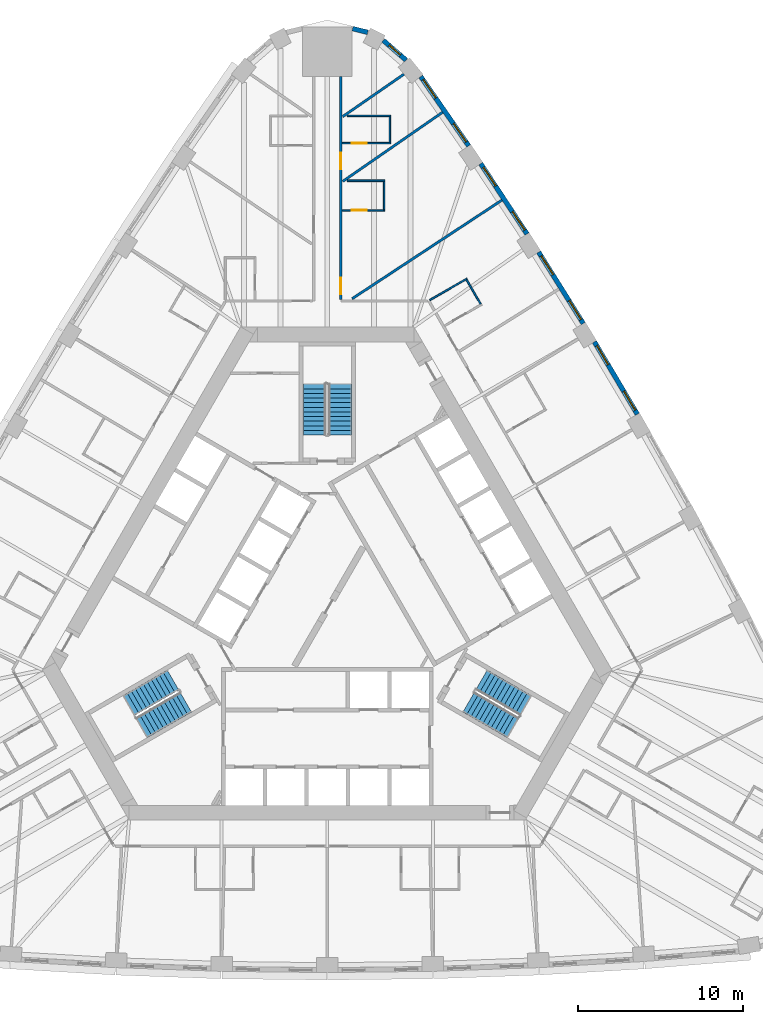
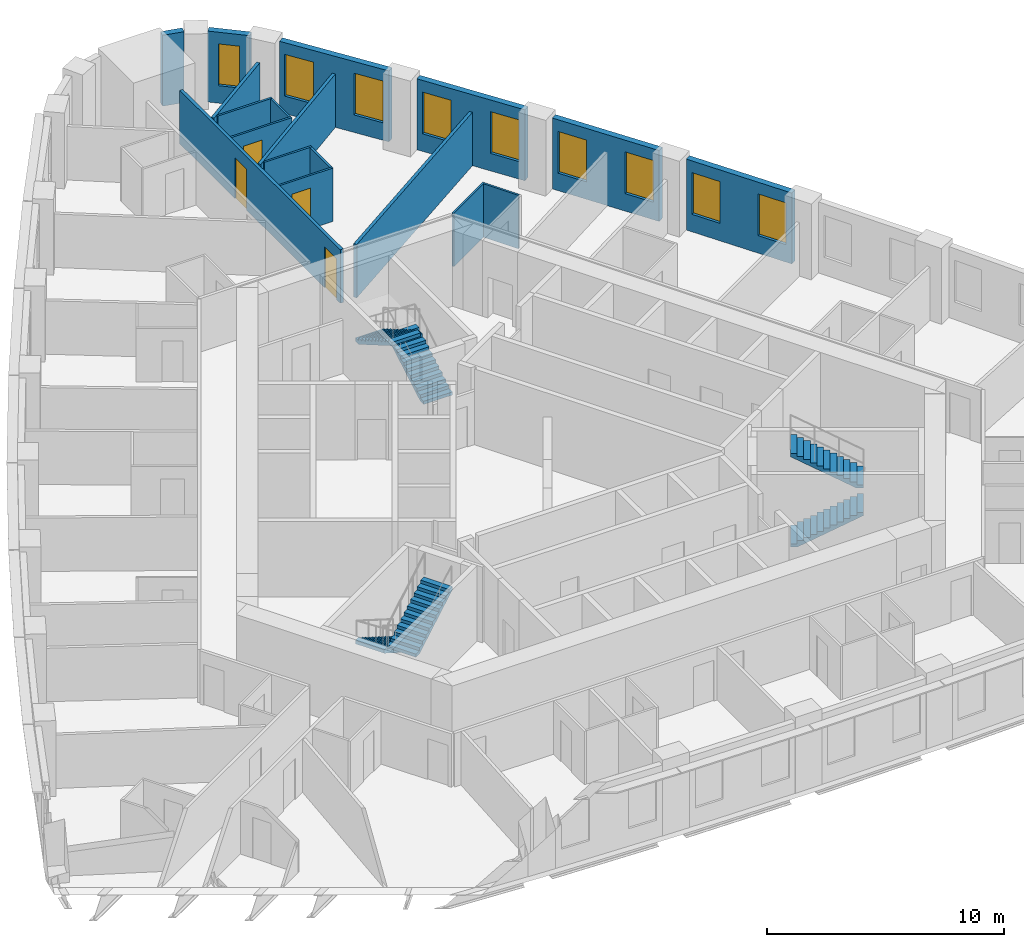
# One storey, part 11 of 12: 18 walls, 9 windows, 6 stair flights, 4 doors, 13 openings, 3 elements without a shape of their own.
"""IFC4 building model written with IfcOpenShell, lengths in metres."""

import ifcopenshell
import ifcopenshell.guid

model = None  # the IFC model being written
_history = None  # IfcOwnerHistory: only IFC2X3 demands one
_inside = {}  # id of a spatial element -> (the spatial element, [elements in it])
_under = {}  # id of a project, library or spatial element -> (it, [spatial elements below it])
_declared = {}  # id of a project -> (the project, [libraries it declares])
_typed = {}  # id of a type object -> (the type object, [elements of that type])
_made_of = {}  # id of a material, layer set ... -> (it, [elements and type objects made of it])


def new_model(schema):
    """Start an empty IFC model of exactly this schema.

    Asked for "IFC4X3", IfcOpenShell would pick the latest addendum, in which some entities
    have other attributes; the version numbers below select the first issue.
    IFC2X3 requires an IfcOwnerHistory on every rooted entity: one is made here for all.
    """
    global model, _history
    if schema == "IFC4X3":
        model = ifcopenshell.file(schema_version=(4, 3, 0, 0))
    else:
        model = ifcopenshell.file(schema=schema)
    _inside.clear()
    _under.clear()
    _declared.clear()
    _typed.clear()
    _made_of.clear()
    _history = None
    if model.schema == "IFC2X3":
        org = make("IfcOrganization", Name="unknown")
        user = make(
            "IfcPersonAndOrganization",
            ThePerson=make("IfcPerson", FamilyName="unknown"),
            TheOrganization=org,
        )
        app = make(
            "IfcApplication",
            ApplicationDeveloper=org,
            Version="unknown",
            ApplicationFullName="unknown",
            ApplicationIdentifier="unknown",
        )
        _history = make(
            "IfcOwnerHistory",
            OwningUser=user,
            OwningApplication=app,
            ChangeAction="ADDED",
            CreationDate=0,
        )
    return model


def make(cls, **values):
    """One entity of the class cls with the attributes given. An attribute that is None is left unset."""
    return model.create_entity(
        cls, **{name: value for name, value in values.items() if value is not None}
    )


def rooted(cls, **values):
    """An entity with a GlobalId (a new one), such as an element, a storey or a relation."""
    return make(cls, GlobalId=ifcopenshell.guid.new(), OwnerHistory=_history, **values)


def si_unit(unit_type, name, prefix=None):
    """IfcSIUnit, for example si_unit("LENGTHUNIT", "METRE", prefix="MILLI")."""
    return make("IfcSIUnit", UnitType=unit_type, Prefix=prefix, Name=name)


def assignment(units):
    """IfcUnitAssignment: the units of a project."""
    return None if units is None else make("IfcUnitAssignment", Units=units)


def point(xyz):
    """IfcCartesianPoint."""
    return None if xyz is None else make("IfcCartesianPoint", Coordinates=xyz)


def direction(xyz):
    """IfcDirection."""
    return None if xyz is None else make("IfcDirection", DirectionRatios=xyz)


def frame(location, z_axis=None, x_axis=None):
    """IfcAxis2Placement3D, a coordinate frame: its origin and axes. An axis left out is left unset."""
    return make(
        "IfcAxis2Placement3D",
        Location=point(location),
        Axis=direction(z_axis),
        RefDirection=direction(x_axis),
    )


def frame_2d(location, x_axis=None):
    """IfcAxis2Placement2D, a coordinate frame in the plane: its origin and x axis."""
    return make(
        "IfcAxis2Placement2D", Location=point(location), RefDirection=direction(x_axis)
    )


def origin():
    """The frame at (0, 0, 0) with its axes left unset."""
    return frame((0.0, 0.0, 0.0))


def place(relative_to, where):
    """IfcLocalPlacement: puts the frame where relative to a parent placement (None: the world)."""
    return make(
        "IfcLocalPlacement", PlacementRelTo=relative_to, RelativePlacement=where
    )


def context(
    kind, dimensions, precision=None, world=None, true_north=None, identifier=None
):
    """IfcGeometricRepresentationContext, for example the 3D "Model" context."""
    return make(
        "IfcGeometricRepresentationContext",
        ContextIdentifier=identifier,
        ContextType=kind,
        CoordinateSpaceDimension=dimensions,
        Precision=precision,
        WorldCoordinateSystem=world,
        TrueNorth=true_north,
    )


def subcontext(parent, identifier, kind, view, scale=None):
    """IfcGeometricRepresentationSubContext, for example "Body" below "Model"."""
    return make(
        "IfcGeometricRepresentationSubContext",
        ContextIdentifier=identifier,
        ContextType=kind,
        ParentContext=parent,
        TargetScale=scale,
        TargetView=view,
    )


def project(units=None, contexts=None):
    """IfcProject with its units and contexts."""
    return rooted(
        "IfcProject",
        Name="project",
        RepresentationContexts=contexts,
        UnitsInContext=assignment(units),
    )


def spatial(cls, under=None, at=None, **own):
    """A site, building, storey or space (cls), placed at a placement, below another one or the project."""
    s = rooted(cls, ObjectPlacement=at, **own)
    if under is not None:
        _under.setdefault(under.id(), (under, []))[1].append(s)
    return s


def polyline(points):
    """IfcPolyline through the points."""
    return make("IfcPolyline", Points=[point(p) for p in points])


def profile(cls, at=None, kind="AREA", **sizes):
    """A parametric profile (cls). Its sizes go by their IFC names, for example OverallWidth=200.0."""
    return make(cls, ProfileType=kind, Position=at, **sizes)


def rectangle(**sizes):
    """IfcRectangleProfileDef."""
    return profile("IfcRectangleProfileDef", **sizes)


def outline(outer, holes=None, kind="AREA"):
    """IfcArbitraryClosedProfileDef: a profile drawn as a closed curve; with holes, ...WithVoids."""
    if holes is None:
        return make("IfcArbitraryClosedProfileDef", ProfileType=kind, OuterCurve=outer)
    return make(
        "IfcArbitraryProfileDefWithVoids",
        ProfileType=kind,
        OuterCurve=outer,
        InnerCurves=holes,
    )


def extrude(swept, where, along, depth):
    """IfcExtrudedAreaSolid: the profile swept, set in the frame where, extruded along a direction by depth."""
    return make(
        "IfcExtrudedAreaSolid",
        SweptArea=swept,
        Position=where,
        ExtrudedDirection=direction(along),
        Depth=depth,
    )


def shape(context_of_items, identifier, shape_type, items):
    """IfcShapeRepresentation: the items that make up one representation, for example the "Body"."""
    return make(
        "IfcShapeRepresentation",
        ContextOfItems=context_of_items,
        RepresentationIdentifier=identifier,
        RepresentationType=shape_type,
        Items=items,
    )


def material(Name=None, Category=None):
    """IfcMaterial."""
    return make("IfcMaterial", Name=Name, Category=Category)


def layer(
    of_material, thickness, ventilated=None, Name=None, Category=None, Priority=None
):
    """IfcMaterialLayer: one layer of a wall or slab, of a material (None: an air gap)."""
    return make(
        "IfcMaterialLayer",
        Material=of_material,
        LayerThickness=thickness,
        IsVentilated=ventilated,
        Name=Name,
        Category=Category,
        Priority=Priority,
    )


def layer_set(layers, Name=None):
    """IfcMaterialLayerSet."""
    return make("IfcMaterialLayerSet", MaterialLayers=layers, LayerSetName=Name)


def made_of(thing, what):
    """Note that an element or type object is made of a material, layer set ...; save() writes the relation."""
    if what is not None:
        _made_of.setdefault(what.id(), (what, []))[1].append(thing)
    return thing


def type_object(cls, material=None, **own):
    """A type object (cls), such as IfcWallType, which elements share."""
    return made_of(rooted(cls, **own), material)


def element(
    cls,
    number,
    at=None,
    inside=None,
    cuts=None,
    type_object=None,
    material=None,
    context=None,
    identifier="Body",
    shape_type=None,
    held_by="IfcProductDefinitionShape",
    body=None,
    shapes=None,
    **own,
):
    """One element of the class cls, such as IfcWall. Its Tag is "e" and its number.

    at: its placement. inside: the storey or other place that contains it. cuts: it is an
    opening in that element (IfcRelVoidsElement). A single representation is given by context,
    identifier, shape_type and body (its items); several are given by shapes. held_by: the class
    of the entity that holds the representations. save() writes the other relations.
    """
    e = rooted(cls, Tag="e%d" % number, ObjectPlacement=at, **own)
    if body is not None:
        shapes = [shape(context, identifier, shape_type, body)]
    if shapes is not None:
        e.Representation = make(held_by, Representations=shapes)
    if inside is not None:
        _inside.setdefault(inside.id(), (inside, []))[1].append(e)
    if cuts is not None:
        rooted(
            "IfcRelVoidsElement", RelatingBuildingElement=cuts, RelatedOpeningElement=e
        )
    if type_object is not None:
        _typed.setdefault(type_object.id(), (type_object, []))[1].append(e)
    return made_of(e, material)


def fill(opening, filler):
    """IfcRelFillsElement: the door or window that sits in an opening."""
    return rooted(
        "IfcRelFillsElement",
        RelatingOpeningElement=opening,
        RelatedBuildingElement=filler,
    )


def aggregate(whole, parts):
    """IfcRelAggregates: a whole, such as a stair, and the parts it consists of."""
    return rooted("IfcRelAggregates", RelatingObject=whole, RelatedObjects=parts)


def save(model, path):
    """Write the relations noted so far, then the file.

    IfcRelAggregates (storeys below a building ...), IfcRelContainedInSpatialStructure (elements
    in a storey), IfcRelDefinesByType, IfcRelAssociatesMaterial and IfcRelDeclares: one each for
    every whole, place, type object, material and project.
    """
    for whole, parts in _under.values():
        aggregate(whole, parts)
    for where, things in _inside.values():
        rooted(
            "IfcRelContainedInSpatialStructure",
            RelatedElements=things,
            RelatingStructure=where,
        )
    for kind, things in _typed.values():
        rooted("IfcRelDefinesByType", RelatedObjects=things, RelatingType=kind)
    for what, things in _made_of.values():
        rooted("IfcRelAssociatesMaterial", RelatedObjects=things, RelatingMaterial=what)
    for by, libraries in _declared.values():
        rooted("IfcRelDeclares", RelatingContext=by, RelatedDefinitions=libraries)
    model.write(path)


model = new_model("IFC4")

# Units and contexts
model_context = context("Model", 3, precision=1e-05, world=origin(), true_north=direction((0.0, 1.0)))
body_context = subcontext(model_context, "Body", "Model", "MODEL_VIEW")
ifc_project = project(units=[si_unit("LENGTHUNIT", "METRE"), si_unit("AREAUNIT", "SQUARE_METRE"), si_unit("VOLUMEUNIT", "CUBIC_METRE"), si_unit("PLANEANGLEUNIT", "RADIAN"), si_unit("MASSUNIT", "GRAM", prefix="KILO")], contexts=[model_context])

# Site, building, storey
site_placement = place(None, origin())
site = spatial("IfcSite", under=ifc_project, at=site_placement, CompositionType="ELEMENT")
building_placement = place(site_placement, origin())
building = spatial("IfcBuilding", under=site, at=building_placement, Name="Mestral Congress Tower", CompositionType="ELEMENT")
storey_placement = place(building_placement, frame((0.0, 0.0, 103.199951171875)))
storey = spatial("IfcBuildingStorey", under=building, at=storey_placement, Name="L24", CompositionType="ELEMENT", Elevation=103.199951171875)

# Wall, openings, windows
ifc_material_1 = material(Name="Precast concrete C40/50 with limestone facing", Category="masonry")
ifc_layer_1 = layer(ifc_material_1, 0.2900390625)
ifc_layer_set_1 = layer_set([ifc_layer_1], Name="Precast concrete C40/50 with limestone facing")
wall_type_1 = type_object("IfcWallType", Name="Facade stone wall 290", PredefinedType="SOLIDWALL", material=ifc_layer_set_1)
wall_1_placement = place(storey_placement, frame((18.8046875, 11.611083984375, 0.0), z_axis=(0.0, 0.0, 1.0), x_axis=(-0.510054281659, 0.860142214847, 0.0)))
wall_1 = element("IfcWall", 1, at=wall_1_placement, inside=storey, type_object=wall_type_1, Name="Facade wall F1-04", PredefinedType="SOLIDWALL", context=body_context, shape_type="SweptSolid", body=[
    extrude(rectangle(XDim=5.1005859375, YDim=0.2900390625, at=frame_2d((2.55029296875, 0.0))), origin(), (0.0, 0.0, 1.0), 3.650146484375),
])
opening_1_placement = place(wall_1_placement, frame((0.272705078125, 0.0, 0.89990234375)))
opening_1 = element("IfcOpeningElement", 2, at=opening_1_placement, cuts=wall_1, Name="Opening W2", PredefinedType="OPENING", context=body_context, shape_type="SweptSolid", body=[
    extrude(rectangle(XDim=1.35009765625, YDim=2.14990234375, at=frame_2d((0.675048828125, 1.074951171875))), frame((0.0, 0.155029296875, 0.0), z_axis=(0.0, -1.0, 0.0), x_axis=(1.0, 0.0, 0.0)), (0.0, 0.0, 1.0), 0.31005859375),
])
opening_2_placement = place(wall_1_placement, frame((3.477783203125, 0.0, 0.89990234375)))
opening_2 = element("IfcOpeningElement", 3, at=opening_2_placement, cuts=wall_1, Name="Opening W2", PredefinedType="OPENING", context=body_context, shape_type="SweptSolid", body=[
    extrude(rectangle(XDim=1.35009765625, YDim=2.14990234375, at=frame_2d((0.675048828125, 1.074951171875))), frame((0.0, 0.155029296875, 0.0), z_axis=(0.0, -1.0, 0.0), x_axis=(1.0, 0.0, 0.0)), (0.0, 0.0, 1.0), 0.31005859375),
])
ifc_material_2 = material(Name="Clear low-emissivity double glazing", Category="glass")
window_type_1 = type_object("IfcWindowType", Name="Facade punched window 1350 x 2150 sill 900", PartitioningType="DOUBLE_PANEL_VERTICAL", PredefinedType="WINDOW", material=ifc_material_2)
window_1_placement = place(opening_1_placement, origin())
window_1 = element("IfcWindow", 4, at=window_1_placement, inside=storey, type_object=window_type_1, Name="Window F1-04a", OverallHeight=2.14990234375, OverallWidth=1.35009765625, PartitioningType="DOUBLE_PANEL_VERTICAL", PredefinedType="WINDOW", context=body_context, shape_type="SweptSolid", body=[
    extrude(rectangle(XDim=1.35009765625, YDim=2.14990234375, at=frame_2d((0.675048828125, 1.074951171875))), frame((0.0, 0.01513671875, 0.0), z_axis=(0.0, -1.0, 0.0), x_axis=(1.0, 0.0, 0.0)), (0.0, 0.0, 1.0), 0.06005859375),
])
fill(opening_1, window_1)
window_2_placement = place(opening_2_placement, origin())
window_2 = element("IfcWindow", 5, at=window_2_placement, inside=storey, type_object=window_type_1, Name="Window F1-04b", OverallHeight=2.14990234375, OverallWidth=1.35009765625, PartitioningType="DOUBLE_PANEL_VERTICAL", PredefinedType="WINDOW", context=body_context, shape_type="SweptSolid", body=[
    extrude(rectangle(XDim=1.35009765625, YDim=2.14990234375, at=frame_2d((0.675048828125, 1.074951171875))), frame((0.0, 0.01513671875, 0.0), z_axis=(0.0, -1.0, 0.0), x_axis=(1.0, 0.0, 0.0)), (0.0, 0.0, 1.0), 0.06005859375),
])
fill(opening_2, window_2)

wall_2_placement = place(storey_placement, frame((15.523681640625, 17.114013671875, 0.0), z_axis=(0.0, 0.0, 1.0), x_axis=(-0.530072082134, 0.847952585787, 0.0)))
wall_2 = element("IfcWall", 6, at=wall_2_placement, inside=storey, type_object=wall_type_1, Name="Facade wall F1-05", PredefinedType="SOLIDWALL", context=body_context, shape_type="SweptSolid", body=[
    extrude(rectangle(XDim=5.100341796875, YDim=0.2900390625, at=frame_2d((2.55029296875, 0.0))), origin(), (0.0, 0.0, 1.0), 3.650146484375),
])
opening_3_placement = place(wall_2_placement, frame((0.272705078125, 0.0, 0.89990234375)))
opening_3 = element("IfcOpeningElement", 7, at=opening_3_placement, cuts=wall_2, Name="Opening W2", PredefinedType="OPENING", context=body_context, shape_type="SweptSolid", body=[
    extrude(rectangle(XDim=1.35009765625, YDim=2.14990234375, at=frame_2d((0.675048828125, 1.074951171875))), frame((0.0, 0.155029296875, 0.0), z_axis=(0.0, -1.0, 0.0), x_axis=(1.0, 0.0, 0.0)), (0.0, 0.0, 1.0), 0.31005859375),
])
opening_4_placement = place(wall_2_placement, frame((3.477783203125, 0.0, 0.89990234375)))
opening_4 = element("IfcOpeningElement", 8, at=opening_4_placement, cuts=wall_2, Name="Opening W2", PredefinedType="OPENING", context=body_context, shape_type="SweptSolid", body=[
    extrude(rectangle(XDim=1.35009765625, YDim=2.14990234375, at=frame_2d((0.675048828125, 1.074951171875))), frame((0.0, 0.155029296875, 0.0), z_axis=(0.0, -1.0, 0.0), x_axis=(1.0, 0.0, 0.0)), (0.0, 0.0, 1.0), 0.31005859375),
])
window_3_placement = place(opening_3_placement, origin())
window_3 = element("IfcWindow", 9, at=window_3_placement, inside=storey, type_object=window_type_1, Name="Window F1-05a", OverallHeight=2.14990234375, OverallWidth=1.35009765625, PartitioningType="DOUBLE_PANEL_VERTICAL", PredefinedType="WINDOW", context=body_context, shape_type="SweptSolid", body=[
    extrude(rectangle(XDim=1.35009765625, YDim=2.14990234375, at=frame_2d((0.675048828125, 1.074951171875))), frame((0.0, 0.01513671875, 0.0), z_axis=(0.0, -1.0, 0.0), x_axis=(1.0, 0.0, 0.0)), (0.0, 0.0, 1.0), 0.06005859375),
])
fill(opening_3, window_3)
window_4_placement = place(opening_4_placement, origin())
window_4 = element("IfcWindow", 10, at=window_4_placement, inside=storey, type_object=window_type_1, Name="Window F1-05b", OverallHeight=2.14990234375, OverallWidth=1.35009765625, PartitioningType="DOUBLE_PANEL_VERTICAL", PredefinedType="WINDOW", context=body_context, shape_type="SweptSolid", body=[
    extrude(rectangle(XDim=1.35009765625, YDim=2.14990234375, at=frame_2d((0.675048828125, 1.074951171875))), frame((0.0, 0.01513671875, 0.0), z_axis=(0.0, -1.0, 0.0), x_axis=(1.0, 0.0, 0.0)), (0.0, 0.0, 1.0), 0.06005859375),
])
fill(opening_4, window_4)

wall_3_placement = place(storey_placement, frame((12.114501953125, 22.538818359375, 0.0), z_axis=(0.0, 0.0, 1.0), x_axis=(-0.549741341923, 0.835334937005, 0.0)))
wall_3 = element("IfcWall", 11, at=wall_3_placement, inside=storey, type_object=wall_type_1, Name="Facade wall F1-06", PredefinedType="SOLIDWALL", context=body_context, shape_type="SweptSolid", body=[
    extrude(rectangle(XDim=5.10009765625, YDim=0.2900390625, at=frame_2d((2.550048828125, 0.0))), origin(), (0.0, 0.0, 1.0), 3.650146484375),
])
opening_5_placement = place(wall_3_placement, frame((0.272705078125, 0.0, 0.89990234375)))
opening_5 = element("IfcOpeningElement", 12, at=opening_5_placement, cuts=wall_3, Name="Opening W2", PredefinedType="OPENING", context=body_context, shape_type="SweptSolid", body=[
    extrude(rectangle(XDim=1.35009765625, YDim=2.14990234375, at=frame_2d((0.675048828125, 1.074951171875))), frame((0.0, 0.155029296875, 0.0), z_axis=(0.0, -1.0, 0.0), x_axis=(1.0, 0.0, 0.0)), (0.0, 0.0, 1.0), 0.31005859375),
])
opening_6_placement = place(wall_3_placement, frame((3.477783203125, 0.0, 0.89990234375)))
opening_6 = element("IfcOpeningElement", 13, at=opening_6_placement, cuts=wall_3, Name="Opening W2", PredefinedType="OPENING", context=body_context, shape_type="SweptSolid", body=[
    extrude(rectangle(XDim=1.35009765625, YDim=2.14990234375, at=frame_2d((0.675048828125, 1.074951171875))), frame((0.0, 0.155029296875, 0.0), z_axis=(0.0, -1.0, 0.0), x_axis=(1.0, 0.0, 0.0)), (0.0, 0.0, 1.0), 0.31005859375),
])
window_5_placement = place(opening_5_placement, origin())
window_5 = element("IfcWindow", 14, at=window_5_placement, inside=storey, type_object=window_type_1, Name="Window F1-06a", OverallHeight=2.14990234375, OverallWidth=1.35009765625, PartitioningType="DOUBLE_PANEL_VERTICAL", PredefinedType="WINDOW", context=body_context, shape_type="SweptSolid", body=[
    extrude(rectangle(XDim=1.35009765625, YDim=2.14990234375, at=frame_2d((0.675048828125, 1.074951171875))), frame((0.0, 0.01513671875, 0.0), z_axis=(0.0, -1.0, 0.0), x_axis=(1.0, 0.0, 0.0)), (0.0, 0.0, 1.0), 0.06005859375),
])
fill(opening_5, window_5)
window_6_placement = place(opening_6_placement, origin())
window_6 = element("IfcWindow", 15, at=window_6_placement, inside=storey, type_object=window_type_1, Name="Window F1-06b", OverallHeight=2.14990234375, OverallWidth=1.35009765625, PartitioningType="DOUBLE_PANEL_VERTICAL", PredefinedType="WINDOW", context=body_context, shape_type="SweptSolid", body=[
    extrude(rectangle(XDim=1.35009765625, YDim=2.14990234375, at=frame_2d((0.675048828125, 1.074951171875))), frame((0.0, 0.01513671875, 0.0), z_axis=(0.0, -1.0, 0.0), x_axis=(1.0, 0.0, 0.0)), (0.0, 0.0, 1.0), 0.06005859375),
])
fill(opening_6, window_6)

wall_4_placement = place(storey_placement, frame((8.57958984375, 27.882080078125, 0.0), z_axis=(0.0, 0.0, 1.0), x_axis=(-0.569113019126, 0.822259309136, 0.0)))
wall_4 = element("IfcWall", 16, at=wall_4_placement, inside=storey, type_object=wall_type_1, Name="Facade wall F1-07", PredefinedType="SOLIDWALL", context=body_context, shape_type="SweptSolid", body=[
    extrude(rectangle(XDim=5.106689453125, YDim=0.2900390625, at=frame_2d((2.55322265625, 0.0))), origin(), (0.0, 0.0, 1.0), 3.650146484375),
])
opening_7_placement = place(wall_4_placement, frame((0.285400390625, 0.0, 0.89990234375)))
opening_7 = element("IfcOpeningElement", 17, at=opening_7_placement, cuts=wall_4, Name="Opening W2", PredefinedType="OPENING", context=body_context, shape_type="SweptSolid", body=[
    extrude(rectangle(XDim=1.35009765625, YDim=2.14990234375, at=frame_2d((0.675048828125, 1.074951171875))), frame((0.0, 0.155029296875, 0.0), z_axis=(0.0, -1.0, 0.0), x_axis=(1.0, 0.0, 0.0)), (0.0, 0.0, 1.0), 0.31005859375),
])
opening_8_placement = place(wall_4_placement, frame((3.516357421875, 0.0, 0.89990234375)))
opening_8 = element("IfcOpeningElement", 18, at=opening_8_placement, cuts=wall_4, Name="Opening W2", PredefinedType="OPENING", context=body_context, shape_type="SweptSolid", body=[
    extrude(rectangle(XDim=1.35009765625, YDim=2.14990234375, at=frame_2d((0.675048828125, 1.074951171875))), frame((0.0, 0.155029296875, 0.0), z_axis=(0.0, -1.0, 0.0), x_axis=(1.0, 0.0, 0.0)), (0.0, 0.0, 1.0), 0.31005859375),
])
window_7_placement = place(opening_7_placement, origin())
window_7 = element("IfcWindow", 19, at=window_7_placement, inside=storey, type_object=window_type_1, Name="Window F1-07a", OverallHeight=2.14990234375, OverallWidth=1.35009765625, PartitioningType="DOUBLE_PANEL_VERTICAL", PredefinedType="WINDOW", context=body_context, shape_type="SweptSolid", body=[
    extrude(rectangle(XDim=1.35009765625, YDim=2.14990234375, at=frame_2d((0.675048828125, 1.074951171875))), frame((0.0, 0.01513671875, 0.0), z_axis=(0.0, -1.0, 0.0), x_axis=(1.0, 0.0, 0.0)), (0.0, 0.0, 1.0), 0.06005859375),
])
fill(opening_7, window_7)
window_8_placement = place(opening_8_placement, origin())
window_8 = element("IfcWindow", 20, at=window_8_placement, inside=storey, type_object=window_type_1, Name="Window F1-07b", OverallHeight=2.14990234375, OverallWidth=1.35009765625, PartitioningType="DOUBLE_PANEL_VERTICAL", PredefinedType="WINDOW", context=body_context, shape_type="SweptSolid", body=[
    extrude(rectangle(XDim=1.35009765625, YDim=2.14990234375, at=frame_2d((0.675048828125, 1.074951171875))), frame((0.0, 0.01513671875, 0.0), z_axis=(0.0, -1.0, 0.0), x_axis=(1.0, 0.0, 0.0)), (0.0, 0.0, 1.0), 0.06005859375),
])
fill(opening_8, window_8)

# Wall, opening, window
wall_5_placement = place(storey_placement, frame((4.778076171875, 33.08203125, 0.0), z_axis=(0.0, 0.0, 1.0), x_axis=(-0.754882764627, 0.655859749999, 0.0)))
wall_5 = element("IfcWall", 21, at=wall_5_placement, inside=storey, type_object=wall_type_1, Name="Facade wall K1-0", PredefinedType="SOLIDWALL", context=body_context, shape_type="SweptSolid", body=[
    extrude(rectangle(XDim=1.819580078125, YDim=0.2900390625, at=frame_2d((0.90966796875, 0.0))), origin(), (0.0, 0.0, 1.0), 3.650146484375),
])
opening_9_placement = place(wall_5_placement, frame((0.459716796875, 0.0, 0.89990234375)))
opening_9 = element("IfcOpeningElement", 22, at=opening_9_placement, cuts=wall_5, Name="Opening W3", PredefinedType="OPENING", context=body_context, shape_type="SweptSolid", body=[
    extrude(rectangle(XDim=0.89990234375, YDim=2.14990234375, at=frame_2d((0.449951171875, 1.074951171875))), frame((0.0, 0.155029296875, 0.0), z_axis=(0.0, -1.0, 0.0), x_axis=(1.0, 0.0, 0.0)), (0.0, 0.0, 1.0), 0.31005859375),
])
window_type_2 = type_object("IfcWindowType", Name="Facade punched window 900 x 2150 sill 900", PartitioningType="SINGLE_PANEL", PredefinedType="WINDOW", material=ifc_material_2)
window_9_placement = place(opening_9_placement, origin())
window_9 = element("IfcWindow", 23, at=window_9_placement, inside=storey, type_object=window_type_2, Name="Window K1-0", OverallHeight=2.14990234375, OverallWidth=0.89990234375, PartitioningType="SINGLE_PANEL", PredefinedType="WINDOW", context=body_context, shape_type="SweptSolid", body=[
    extrude(rectangle(XDim=0.89990234375, YDim=2.14990234375, at=frame_2d((0.449951171875, 1.074951171875))), frame((0.0, 0.01513671875, 0.0), z_axis=(0.0, -1.0, 0.0), x_axis=(1.0, 0.0, 0.0)), (0.0, 0.0, 1.0), 0.06005859375),
])
fill(opening_9, window_9)

# Walls
wall_6_placement = place(storey_placement, frame((2.455322265625, 34.765625, 0.0), z_axis=(0.0, 0.0, 1.0), x_axis=(-0.971713991574, 0.236160789674, 0.0)))
element("IfcWall", 24, at=wall_6_placement, inside=storey, type_object=wall_type_1, Name="Facade wall K1-1", PredefinedType="SOLIDWALL", context=body_context, shape_type="SweptSolid", body=[
    extrude(rectangle(XDim=0.947021484375, YDim=0.2900390625, at=frame_2d((0.4736328125, 0.0))), origin(), (0.0, 0.0, 1.0), 3.650146484375),
])
ifc_material_3 = material(Name="Gypsum board partition on metal studs with mineral wool", Category="composite")
ifc_layer_2 = layer(ifc_material_3, 0.10009765625)
ifc_layer_set_2 = layer_set([ifc_layer_2], Name="Gypsum board partition on metal studs with mineral wool")
wall_type_2 = type_object("IfcWallType", Name="Hotel partition wall 100", PredefinedType="PARTITIONING", material=ifc_layer_set_2)
wall_7_placement = place(storey_placement, frame((9.301513671875, 18.289306640625, 0.0), z_axis=(0.0, 0.0, 1.0), x_axis=(-0.500062241894, 0.865989465428, 0.0)))
element("IfcWall", 25, at=wall_7_placement, inside=storey, type_object=wall_type_2, Name="L24-h-pod15b", PredefinedType="PARTITIONING", context=body_context, shape_type="SweptSolid", body=[
    extrude(rectangle(XDim=1.699951171875, YDim=0.10009765625, at=frame_2d((0.85009765625, 0.0))), origin(), (0.0, 0.0, 1.0), 2.75),
])
wall_8_placement = place(storey_placement, frame((6.21826171875, 18.52978515625, 0.0), z_axis=(0.0, 0.0, 1.0), x_axis=(0.865997922154, 0.500047596559, 0.0)))
element("IfcWall", 26, at=wall_8_placement, inside=storey, type_object=wall_type_2, Name="L24-h-pod15c", PredefinedType="PARTITIONING", context=body_context, shape_type="SweptSolid", body=[
    extrude(rectangle(XDim=2.599853515625, YDim=0.10009765625, at=frame_2d((1.2998046875, 0.0))), origin(), (0.0, 0.0, 1.0), 2.75),
])

# Wall, opening, door
wall_9_placement = place(storey_placement, frame((0.89990234375, 23.968994140625, 0.0), z_axis=(0.0, 0.0, 1.0), x_axis=(1.0, 0.0, 0.0)))
wall_9 = element("IfcWall", 27, at=wall_9_placement, inside=storey, type_object=wall_type_2, Name="L24-h-pod16a", PredefinedType="PARTITIONING", context=body_context, shape_type="SweptSolid", body=[
    extrude(rectangle(XDim=2.60009765625, YDim=0.10009765625, at=frame_2d((1.300048828125, 0.0))), origin(), (0.0, 0.0, 1.0), 2.75),
])
opening_10_placement = place(wall_9_placement, frame((0.60009765625, 0.0, 0.0)))
opening_10 = element("IfcOpeningElement", 28, at=opening_10_placement, cuts=wall_9, Name="Opening H07-031", PredefinedType="OPENING", context=body_context, shape_type="SweptSolid", body=[
    extrude(rectangle(XDim=0.89990234375, YDim=2.10009765625, at=frame_2d((0.449951171875, 1.050048828125))), frame((0.0, 0.06005859375, 0.0), z_axis=(0.0, -1.0, 0.0), x_axis=(1.0, 0.0, 0.0)), (0.0, 0.0, 1.0), 0.1201171875),
])
ifc_material_4 = material(Name="Timber veneer door leaf in timber frame", Category="wood")
door_type_1 = type_object("IfcDoorType", Name="Bathroom door 900", OperationType="SINGLE_SWING_LEFT", PredefinedType="DOOR", material=ifc_material_4)
door_1_placement = place(opening_10_placement, origin())
door_1 = element("IfcDoor", 29, at=door_1_placement, inside=storey, type_object=door_type_1, Name="L24-h-d031", OperationType="SINGLE_SWING_LEFT", OverallHeight=2.10009765625, OverallWidth=0.89990234375, PredefinedType="DOOR", context=body_context, shape_type="SweptSolid", body=[
    extrude(rectangle(XDim=0.89990234375, YDim=2.10009765625, at=frame_2d((0.449951171875, 1.050048828125))), frame((0.0, 0.02490234375, 0.0), z_axis=(0.0, -1.0, 0.0), x_axis=(1.0, 0.0, 0.0)), (0.0, 0.0, 1.0), 0.050048828125),
])
fill(opening_10, door_1)

# Walls
wall_10_placement = place(storey_placement, frame((3.449951171875, 24.01904296875, 0.0), z_axis=(0.0, 0.0, 1.0), x_axis=(0.0, 1.0, 0.0)))
element("IfcWall", 30, at=wall_10_placement, inside=storey, type_object=wall_type_2, Name="L24-h-pod16b", PredefinedType="PARTITIONING", context=body_context, shape_type="SweptSolid", body=[
    extrude(rectangle(XDim=1.699951171875, YDim=0.10009765625, at=frame_2d((0.85009765625, 0.0))), origin(), (0.0, 0.0, 1.0), 2.75),
])
wall_11_placement = place(storey_placement, frame((1.199951171875, 25.76904296875, 0.0), z_axis=(0.0, 0.0, 1.0), x_axis=(1.0, 0.0, 0.0)))
element("IfcWall", 31, at=wall_11_placement, inside=storey, type_object=wall_type_2, Name="L24-h-pod16c", PredefinedType="PARTITIONING", context=body_context, shape_type="SweptSolid", body=[
    extrude(rectangle(XDim=2.300048828125, YDim=0.10009765625, at=frame_2d((1.14990234375, 0.0))), origin(), (0.0, 0.0, 1.0), 2.75),
])

# Wall, opening, door
wall_12_placement = place(storey_placement, frame((0.89990234375, 28.048095703125, 0.0), z_axis=(0.0, 0.0, 1.0), x_axis=(1.0, 0.0, 0.0)))
wall_12 = element("IfcWall", 32, at=wall_12_placement, inside=storey, type_object=wall_type_2, Name="L24-h-pod17a", PredefinedType="PARTITIONING", context=body_context, shape_type="SweptSolid", body=[
    extrude(rectangle(XDim=2.9501953125, YDim=0.10009765625, at=frame_2d((1.47509765625, 0.0))), origin(), (0.0, 0.0, 1.0), 2.75),
])
opening_11_placement = place(wall_12_placement, frame((0.60009765625, 0.0, 0.0)))
opening_11 = element("IfcOpeningElement", 33, at=opening_11_placement, cuts=wall_12, Name="Opening H07-033", PredefinedType="OPENING", context=body_context, shape_type="SweptSolid", body=[
    extrude(rectangle(XDim=0.89990234375, YDim=2.10009765625, at=frame_2d((0.449951171875, 1.050048828125))), frame((0.0, 0.06005859375, 0.0), z_axis=(0.0, -1.0, 0.0), x_axis=(1.0, 0.0, 0.0)), (0.0, 0.0, 1.0), 0.1201171875),
])
door_2_placement = place(opening_11_placement, origin())
door_2 = element("IfcDoor", 34, at=door_2_placement, inside=storey, type_object=door_type_1, Name="L24-h-d033", OperationType="SINGLE_SWING_LEFT", OverallHeight=2.10009765625, OverallWidth=0.89990234375, PredefinedType="DOOR", context=body_context, shape_type="SweptSolid", body=[
    extrude(rectangle(XDim=0.89990234375, YDim=2.10009765625, at=frame_2d((0.449951171875, 1.050048828125))), frame((0.0, 0.02490234375, 0.0), z_axis=(0.0, -1.0, 0.0), x_axis=(1.0, 0.0, 0.0)), (0.0, 0.0, 1.0), 0.050048828125),
])
fill(opening_11, door_2)

# Walls
wall_13_placement = place(storey_placement, frame((3.800048828125, 28.09814453125, 0.0), z_axis=(0.0, 0.0, 1.0), x_axis=(0.0, 1.0, 0.0)))
element("IfcWall", 35, at=wall_13_placement, inside=storey, type_object=wall_type_2, Name="L24-h-pod17b", PredefinedType="PARTITIONING", context=body_context, shape_type="SweptSolid", body=[
    extrude(rectangle(XDim=1.550048828125, YDim=0.10009765625, at=frame_2d((0.77490234375, 0.0))), origin(), (0.0, 0.0, 1.0), 2.75),
])
wall_14_placement = place(storey_placement, frame((1.199951171875, 29.697998046875, 0.0), z_axis=(0.0, 0.0, 1.0), x_axis=(1.0, 0.0, 0.0)))
element("IfcWall", 36, at=wall_14_placement, inside=storey, type_object=wall_type_2, Name="L24-h-pod17c", PredefinedType="PARTITIONING", context=body_context, shape_type="SweptSolid", body=[
    extrude(rectangle(XDim=2.650146484375, YDim=0.10009765625, at=frame_2d((1.3251953125, 0.0))), origin(), (0.0, 0.0, 1.0), 2.75),
])

# Wall, openings, doors
ifc_layer_3 = layer(ifc_material_3, 0.14990234375)
ifc_layer_set_3 = layer_set([ifc_layer_3], Name="Gypsum board partition on metal studs with mineral wool")
wall_type_3 = type_object("IfcWallType", Name="Hotel partition wall 150", PredefinedType="PARTITIONING", material=ifc_layer_set_3)
wall_15_placement = place(storey_placement, frame((0.824951171875, 32.098388671875, 0.0), z_axis=(0.0, 0.0, 1.0), x_axis=(0.0, -1.0, 0.0)))
wall_15 = element("IfcWall", 37, at=wall_15_placement, inside=storey, type_object=wall_type_3, Name="L24-h-cw05", PredefinedType="PARTITIONING", context=body_context, shape_type="SweptSolid", body=[
    extrude(rectangle(XDim=13.54345703125, YDim=0.14990234375, at=frame_2d((6.771728515625, 0.0))), origin(), (0.0, 0.0, 1.0), 2.75),
])
opening_12_placement = place(wall_15_placement, frame((12.21337890625, 0.0, 0.0)))
opening_12 = element("IfcOpeningElement", 38, at=opening_12_placement, cuts=wall_15, Name="Opening H07-030", PredefinedType="OPENING", context=body_context, shape_type="SweptSolid", body=[
    extrude(rectangle(XDim=1.0, YDim=2.10009765625, at=frame_2d((0.5, 1.050048828125))), frame((0.0, 0.0849609375, 0.0), z_axis=(0.0, -1.0, 0.0), x_axis=(1.0, 0.0, 0.0)), (0.0, 0.0, 1.0), 0.169921875),
])
opening_13_placement = place(wall_15_placement, frame((4.650146484375, 0.0, 0.0)))
opening_13 = element("IfcOpeningElement", 39, at=opening_13_placement, cuts=wall_15, Name="Opening H07-032", PredefinedType="OPENING", context=body_context, shape_type="SweptSolid", body=[
    extrude(rectangle(XDim=1.0, YDim=2.10009765625, at=frame_2d((0.5, 1.050048828125))), frame((0.0, 0.0849609375, 0.0), z_axis=(0.0, -1.0, 0.0), x_axis=(1.0, 0.0, 0.0)), (0.0, 0.0, 1.0), 0.169921875),
])
ifc_material_5 = material(Name="Timber veneer door leaf in metal frame", Category="wood")
door_type_2 = type_object("IfcDoorType", Name="Guest room entrance door 1000", OperationType="SINGLE_SWING_LEFT", PredefinedType="DOOR", material=ifc_material_5)
door_3_placement = place(opening_12_placement, origin())
door_3 = element("IfcDoor", 40, at=door_3_placement, inside=storey, type_object=door_type_2, Name="L24-h-d030", OperationType="SINGLE_SWING_RIGHT", OverallHeight=2.10009765625, OverallWidth=1.0, PredefinedType="DOOR", context=body_context, shape_type="SweptSolid", body=[
    extrude(rectangle(XDim=1.0, YDim=2.10009765625, at=frame_2d((0.5, 1.050048828125))), frame((0.0, 0.02490234375, 0.0), z_axis=(0.0, -1.0, 0.0), x_axis=(1.0, 0.0, 0.0)), (0.0, 0.0, 1.0), 0.050048828125),
])
fill(opening_12, door_3)
door_4_placement = place(opening_13_placement, origin())
door_4 = element("IfcDoor", 41, at=door_4_placement, inside=storey, type_object=door_type_2, Name="L24-h-d032", OperationType="SINGLE_SWING_RIGHT", OverallHeight=2.10009765625, OverallWidth=1.0, PredefinedType="DOOR", context=body_context, shape_type="SweptSolid", body=[
    extrude(rectangle(XDim=1.0, YDim=2.10009765625, at=frame_2d((0.5, 1.050048828125))), frame((0.0, 0.02490234375, 0.0), z_axis=(0.0, -1.0, 0.0), x_axis=(1.0, 0.0, 0.0)), (0.0, 0.0, 1.0), 0.050048828125),
])
fill(opening_13, door_4)

# Walls
wall_16_placement = place(storey_placement, frame((6.994384765625, 29.91748046875, 0.0), z_axis=(0.0, 0.0, 1.0), x_axis=(-0.822255462494, -0.569118576747, 0.0)))
element("IfcWall", 42, at=wall_16_placement, inside=storey, type_object=wall_type_3, Name="L24-h-pw16", PredefinedType="PARTITIONING", context=body_context, shape_type="SweptSolid", body=[
    extrude(rectangle(XDim=7.36181640625, YDim=0.14990234375, at=frame_2d((3.680908203125, 0.0))), origin(), (0.0, 0.0, 1.0), 2.75),
])
wall_17_placement = place(storey_placement, frame((10.591552734375, 24.589111328125, 0.0), z_axis=(0.0, 0.0, 1.0), x_axis=(-0.835337323748, -0.549737715236, 0.0)))
element("IfcWall", 43, at=wall_17_placement, inside=storey, type_object=wall_type_3, Name="L24-h-pw17", PredefinedType="PARTITIONING", context=body_context, shape_type="SweptSolid", body=[
    extrude(rectangle(XDim=10.875244140625, YDim=0.14990234375, at=frame_2d((5.4375, 0.0))), origin(), (0.0, 0.0, 1.0), 2.75),
])
wall_18_placement = place(storey_placement, frame((4.649169921875, 32.223388671875, 0.0), z_axis=(0.0, 0.0, 1.0), x_axis=(-0.822262349475, -0.569108626394, 0.0)))
element("IfcWall", 44, at=wall_18_placement, inside=storey, type_object=wall_type_3, Name="L24-h-pw18", PredefinedType="PARTITIONING", context=body_context, shape_type="SweptSolid", body=[
    extrude(rectangle(XDim=4.509521484375, YDim=0.14990234375, at=frame_2d((2.2548828125, 0.0))), origin(), (0.0, 0.0, 1.0), 2.75),
])

# Stair, stair flights
ifc_material_6 = material(Name="Concrete C60/75", Category="concrete")
stair_type = type_object("IfcStairType", Name="Exit stair 1400", PredefinedType="HALF_TURN_STAIR", material=ifc_material_6)
placement = place(storey_placement, origin())
stair_1 = element("IfcStair", 45, at=placement, inside=storey, type_object=stair_type, Name="L24 ST1", PredefinedType="HALF_TURN_STAIR")
stair_flight_type = type_object("IfcStairFlightType", Name="Exit stair flight 1400", PredefinedType="STRAIGHT", material=ifc_material_6)
stair_flight_1_placement = place(storey_placement, frame((8.575927734375, -5.84619140625, 0.0), z_axis=(0.0, 0.0, 1.0), x_axis=(0.866025403784, -0.5, 0.0)))
stair_flight_1 = element("IfcStairFlight", 46, at=stair_flight_1_placement, type_object=stair_flight_type, Name="ST1 flight 1", NumberOfRisers=12, NumberOfTreads=11, PredefinedType="STRAIGHT", RiserHeight=0.1625, TreadLength=0.28, context=body_context, shape_type="SweptSolid", body=[
    extrude(outline(polyline([(0.0, 0.0), (0.0, 0.16259765625), (0.280029296875, 0.16259765625), (0.280029296875, 0.324951171875), (0.56005859375, 0.324951171875), (0.56005859375, 0.487548828125), (0.840087890625, 0.487548828125), (0.840087890625, 0.64990234375), (1.1201171875, 0.64990234375), (1.1201171875, 0.8125), (1.39990234375, 0.8125), (1.39990234375, 0.97509765625), (1.679931640625, 0.97509765625), (1.679931640625, 1.137451171875), (1.9599609375, 1.137451171875), (1.9599609375, 1.300048828125), (2.239990234375, 1.300048828125), (2.239990234375, 1.46240234375), (2.52001953125, 1.46240234375), (2.52001953125, 1.625), (2.800048828125, 1.625), (2.800048828125, 1.78759765625), (3.080078125, 1.78759765625), (3.080078125, 1.949951171875), (3.080078125, 1.6142578125), (0.298583984375, 0.0), (0.0, 0.0)])), frame((0.0, 0.699951171875, 0.0), z_axis=(0.0, -1.0, 0.0), x_axis=(1.0, 0.0, 0.0)), (0.0, 0.0, 1.0), 1.39990234375),
])
stair_flight_2_placement = place(storey_placement, frame((12.018310546875, -6.0439453125, 1.949951171875), z_axis=(0.0, 0.0, 1.0), x_axis=(-0.866025403784, 0.5, 0.0)))
stair_flight_2 = element("IfcStairFlight", 47, at=stair_flight_2_placement, type_object=stair_flight_type, Name="ST1 flight 2", NumberOfRisers=12, NumberOfTreads=11, PredefinedType="STRAIGHT", RiserHeight=0.1625, TreadLength=0.28, context=body_context, shape_type="SweptSolid", body=[
    extrude(outline(polyline([(0.0, 0.0), (0.0, 0.16259765625), (0.280029296875, 0.16259765625), (0.280029296875, 0.324951171875), (0.56005859375, 0.324951171875), (0.56005859375, 0.487548828125), (0.840087890625, 0.487548828125), (0.840087890625, 0.64990234375), (1.1201171875, 0.64990234375), (1.1201171875, 0.8125), (1.39990234375, 0.8125), (1.39990234375, 0.97509765625), (1.679931640625, 0.97509765625), (1.679931640625, 1.137451171875), (1.9599609375, 1.137451171875), (1.9599609375, 1.300048828125), (2.239990234375, 1.300048828125), (2.239990234375, 1.46240234375), (2.52001953125, 1.46240234375), (2.52001953125, 1.625), (2.800048828125, 1.625), (2.800048828125, 1.78759765625), (3.080078125, 1.78759765625), (3.080078125, 1.949951171875), (3.080078125, 1.6142578125), (0.298583984375, 0.0), (0.0, 0.0)])), frame((0.0, 0.699951171875, 0.0), z_axis=(0.0, -1.0, 0.0), x_axis=(1.0, 0.0, 0.0)), (0.0, 0.0, 1.0), 1.39990234375),
])
aggregate(stair_1, [stair_flight_1, stair_flight_2])

stair_2 = element("IfcStair", 48, at=placement, inside=storey, type_object=stair_type, Name="L24 ST2", PredefinedType="HALF_TURN_STAIR")
stair_flight_3_placement = place(storey_placement, frame((0.77490234375, 10.35009765625, 0.0), z_axis=(0.0, 0.0, 1.0), x_axis=(0.0, 1.0, 0.0)))
stair_flight_3 = element("IfcStairFlight", 49, at=stair_flight_3_placement, type_object=stair_flight_type, Name="ST2 flight 1", NumberOfRisers=12, NumberOfTreads=11, PredefinedType="STRAIGHT", RiserHeight=0.1625, TreadLength=0.28, context=body_context, shape_type="SweptSolid", body=[
    extrude(outline(polyline([(0.0, 0.0), (0.0, 0.16259765625), (0.280029296875, 0.16259765625), (0.280029296875, 0.324951171875), (0.56005859375, 0.324951171875), (0.56005859375, 0.487548828125), (0.840087890625, 0.487548828125), (0.840087890625, 0.64990234375), (1.1201171875, 0.64990234375), (1.1201171875, 0.8125), (1.39990234375, 0.8125), (1.39990234375, 0.97509765625), (1.679931640625, 0.97509765625), (1.679931640625, 1.137451171875), (1.9599609375, 1.137451171875), (1.9599609375, 1.300048828125), (2.239990234375, 1.300048828125), (2.239990234375, 1.46240234375), (2.52001953125, 1.46240234375), (2.52001953125, 1.625), (2.800048828125, 1.625), (2.800048828125, 1.78759765625), (3.080078125, 1.78759765625), (3.080078125, 1.949951171875), (3.080078125, 1.6142578125), (0.298583984375, 0.0), (0.0, 0.0)])), frame((0.0, 0.699951171875, 0.0), z_axis=(0.0, -1.0, 0.0), x_axis=(1.0, 0.0, 0.0)), (0.0, 0.0, 1.0), 1.39990234375),
])
stair_flight_4_placement = place(storey_placement, frame((-0.77490234375, 13.429931640625, 1.949951171875), z_axis=(0.0, 0.0, 1.0), x_axis=(0.0, -1.0, 0.0)))
stair_flight_4 = element("IfcStairFlight", 50, at=stair_flight_4_placement, type_object=stair_flight_type, Name="ST2 flight 2", NumberOfRisers=12, NumberOfTreads=11, PredefinedType="STRAIGHT", RiserHeight=0.1625, TreadLength=0.28, context=body_context, shape_type="SweptSolid", body=[
    extrude(outline(polyline([(0.0, 0.0), (0.0, 0.16259765625), (0.280029296875, 0.16259765625), (0.280029296875, 0.324951171875), (0.56005859375, 0.324951171875), (0.56005859375, 0.487548828125), (0.840087890625, 0.487548828125), (0.840087890625, 0.64990234375), (1.1201171875, 0.64990234375), (1.1201171875, 0.8125), (1.39990234375, 0.8125), (1.39990234375, 0.97509765625), (1.679931640625, 0.97509765625), (1.679931640625, 1.137451171875), (1.9599609375, 1.137451171875), (1.9599609375, 1.300048828125), (2.239990234375, 1.300048828125), (2.239990234375, 1.46240234375), (2.52001953125, 1.46240234375), (2.52001953125, 1.625), (2.800048828125, 1.625), (2.800048828125, 1.78759765625), (3.080078125, 1.78759765625), (3.080078125, 1.949951171875), (3.080078125, 1.6142578125), (0.298583984375, 0.0), (0.0, 0.0)])), frame((0.0, 0.699951171875, 0.0), z_axis=(0.0, -1.0, 0.0), x_axis=(1.0, 0.0, 0.0)), (0.0, 0.0, 1.0), 1.39990234375),
])
aggregate(stair_2, [stair_flight_3, stair_flight_4])

stair_3 = element("IfcStair", 51, at=placement, inside=storey, type_object=stair_type, Name="L24 ST3", PredefinedType="HALF_TURN_STAIR")
stair_flight_5_placement = place(storey_placement, frame((-9.350830078125, -4.50390625, 0.0), z_axis=(0.0, 0.0, 1.0), x_axis=(-0.866025403784, -0.5, 0.0)))
stair_flight_5 = element("IfcStairFlight", 52, at=stair_flight_5_placement, type_object=stair_flight_type, Name="ST3 flight 1", NumberOfRisers=12, NumberOfTreads=11, PredefinedType="STRAIGHT", RiserHeight=0.1625, TreadLength=0.28, context=body_context, shape_type="SweptSolid", body=[
    extrude(outline(polyline([(0.0, 0.0), (0.0, 0.16259765625), (0.280029296875, 0.16259765625), (0.280029296875, 0.324951171875), (0.56005859375, 0.324951171875), (0.56005859375, 0.487548828125), (0.840087890625, 0.487548828125), (0.840087890625, 0.64990234375), (1.1201171875, 0.64990234375), (1.1201171875, 0.8125), (1.39990234375, 0.8125), (1.39990234375, 0.97509765625), (1.679931640625, 0.97509765625), (1.679931640625, 1.137451171875), (1.9599609375, 1.137451171875), (1.9599609375, 1.300048828125), (2.239990234375, 1.300048828125), (2.239990234375, 1.46240234375), (2.52001953125, 1.46240234375), (2.52001953125, 1.625), (2.800048828125, 1.625), (2.800048828125, 1.78759765625), (3.080078125, 1.78759765625), (3.080078125, 1.949951171875), (3.080078125, 1.6142578125), (0.298583984375, 0.0), (0.0, 0.0)])), frame((0.0, 0.699951171875, 0.0), z_axis=(0.0, -1.0, 0.0), x_axis=(1.0, 0.0, 0.0)), (0.0, 0.0, 1.0), 1.39990234375),
])
stair_flight_6_placement = place(storey_placement, frame((-11.2431640625, -7.38623046875, 1.949951171875), z_axis=(0.0, 0.0, 1.0), x_axis=(0.866025403784, 0.5, 0.0)))
stair_flight_6 = element("IfcStairFlight", 53, at=stair_flight_6_placement, type_object=stair_flight_type, Name="ST3 flight 2", NumberOfRisers=12, NumberOfTreads=11, PredefinedType="STRAIGHT", RiserHeight=0.1625, TreadLength=0.28, context=body_context, shape_type="SweptSolid", body=[
    extrude(outline(polyline([(0.0, 0.0), (0.0, 0.16259765625), (0.280029296875, 0.16259765625), (0.280029296875, 0.324951171875), (0.56005859375, 0.324951171875), (0.56005859375, 0.487548828125), (0.840087890625, 0.487548828125), (0.840087890625, 0.64990234375), (1.1201171875, 0.64990234375), (1.1201171875, 0.8125), (1.39990234375, 0.8125), (1.39990234375, 0.97509765625), (1.679931640625, 0.97509765625), (1.679931640625, 1.137451171875), (1.9599609375, 1.137451171875), (1.9599609375, 1.300048828125), (2.239990234375, 1.300048828125), (2.239990234375, 1.46240234375), (2.52001953125, 1.46240234375), (2.52001953125, 1.625), (2.800048828125, 1.625), (2.800048828125, 1.78759765625), (3.080078125, 1.78759765625), (3.080078125, 1.949951171875), (3.080078125, 1.6142578125), (0.298583984375, 0.0), (0.0, 0.0)])), frame((0.0, 0.699951171875, 0.0), z_axis=(0.0, -1.0, 0.0), x_axis=(1.0, 0.0, 0.0)), (0.0, 0.0, 1.0), 1.39990234375),
])
aggregate(stair_3, [stair_flight_5, stair_flight_6])

save(model, "model.ifc")
